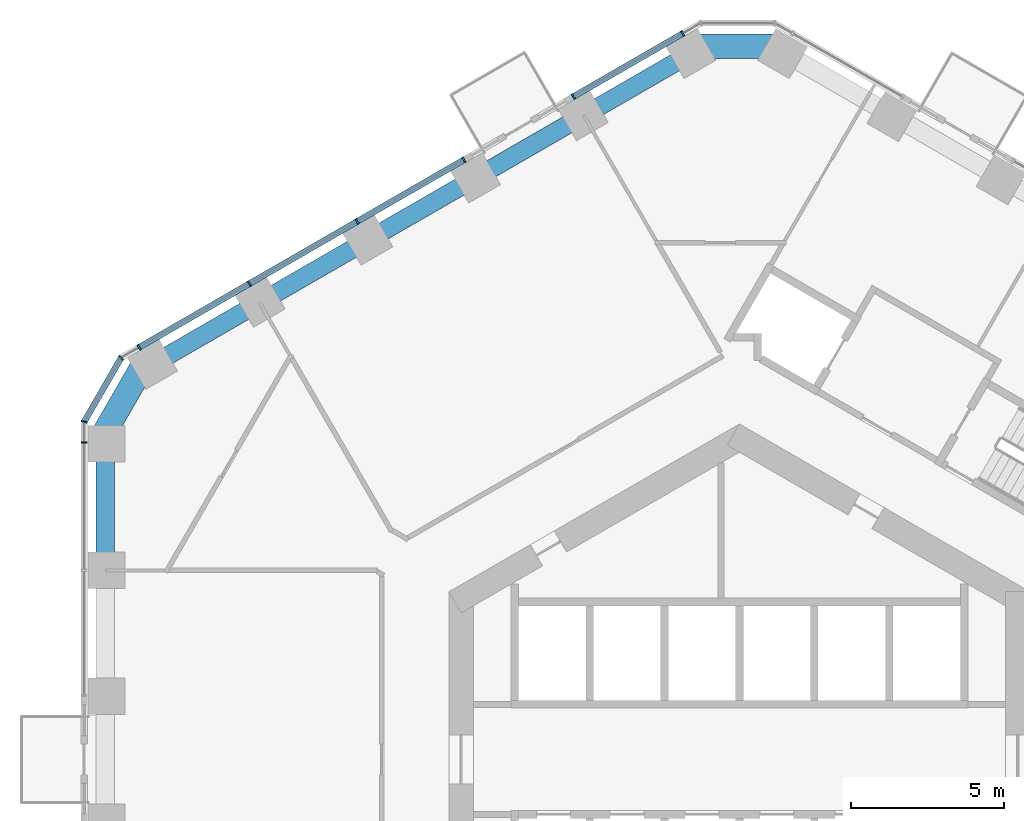
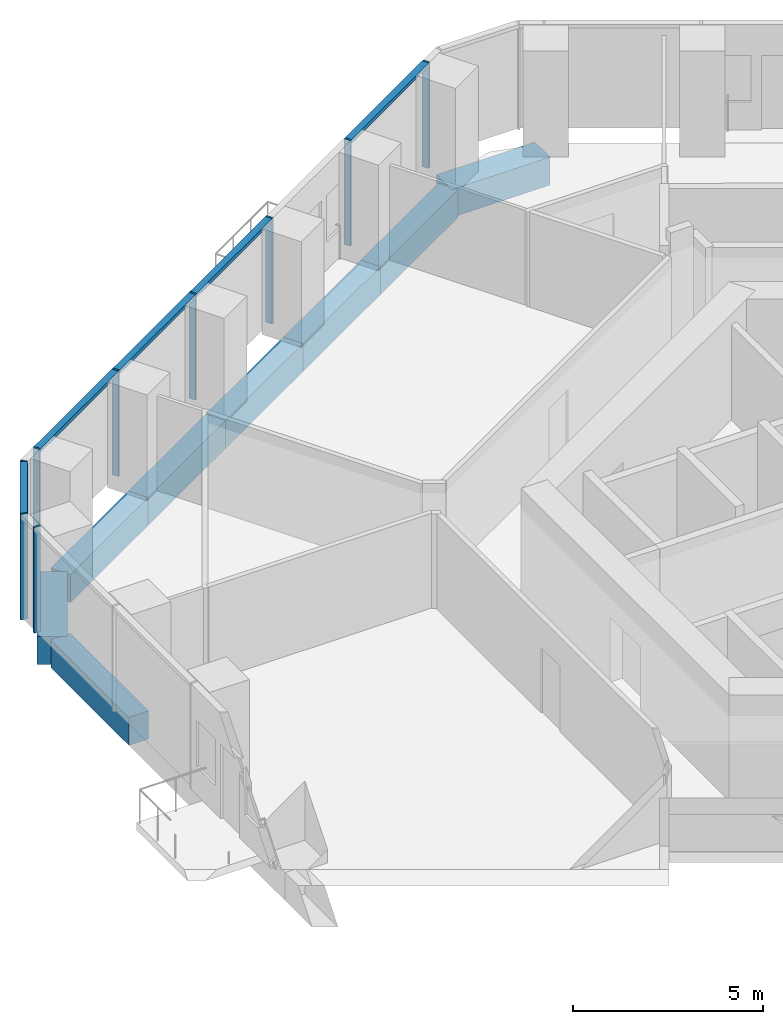
# One storey, part 6 of 20: 12 members, 8 beams, 4 elements without a shape of their own.
"""IFC4 building model written with IfcOpenShell, lengths in metres."""

from ifc_helpers import new_model, si_unit, direction, frame, origin, origin_2d, place, context, subcontext, project, spatial, rectangle, extrude, material, layer, layer_set, material_profile, profile_set, type_object, element, aggregate, save


model = new_model("IFC4")

# Units and contexts
model_context = context("Model", 3, precision=1e-05, world=origin(), true_north=direction((0.0, 1.0)))
body_context = subcontext(model_context, "Body", "Model", "MODEL_VIEW")
ifc_project = project(units=[si_unit("LENGTHUNIT", "METRE"), si_unit("AREAUNIT", "SQUARE_METRE"), si_unit("VOLUMEUNIT", "CUBIC_METRE"), si_unit("PLANEANGLEUNIT", "RADIAN"), si_unit("MASSUNIT", "GRAM", prefix="KILO")], contexts=[model_context])

# Site, building, storey
site_placement = place(None, origin())
site = spatial("IfcSite", under=ifc_project, at=site_placement, CompositionType="ELEMENT")
building_placement = place(site_placement, origin())
building = spatial("IfcBuilding", under=site, at=building_placement, Name="Ayvan Gate Tower", CompositionType="ELEMENT")
storey_placement = place(building_placement, frame((0.0, 0.0, 28.89990234375)))
storey = spatial("IfcBuildingStorey", under=building, at=storey_placement, Name="L06", CompositionType="ELEMENT", Elevation=28.89990234375)

# Beams
ifc_material_1 = material(Name="Concrete C40/50", Category="concrete")
ifc_material_profile_1 = material_profile(ifc_material_1, rectangle(XDim=0.800048828125, YDim=0.89990234375, at=origin_2d()), Name="RC 800x900")
ifc_profile_set_1 = profile_set([ifc_material_profile_1], Name="Concrete C40/50")
beam_type_1 = type_object("IfcBeamType", Name="Corner spandrel beam RC 800x900 C40/50", PredefinedType="BEAM", material=ifc_profile_set_1)
for number, where, z_axis, x_axis, name in (
    (1, (1.45458984375, 23.327880859375, -0.7998046875), (-1.0, 0.0, 0.0), (0.0, -1.0, 0.0), "SB-L06-12"),
    (2, (-19.4296875, 13.002197265625, -0.7998046875), (-0.499990139034, -0.866031096941, 0.0), (0.866031096941, -0.499990139034, 0.0), "SB-L06-18"),
):
    element("IfcBeam", number, at=place(storey_placement, frame(where, z_axis=z_axis, x_axis=x_axis)), inside=storey, type_object=beam_type_1, Name=name, PredefinedType="BEAM", context=body_context, shape_type="SweptSolid", body=[
        extrude(rectangle(XDim=0.800048828125, YDim=0.89990234375, at=origin_2d()), origin(), (0.0, 0.0, 1.0), 3.0),
    ])
ifc_material_profile_2 = material_profile(ifc_material_1, rectangle(XDim=0.60009765625, YDim=0.89990234375, at=origin_2d()), Name="RC 600x900")
ifc_profile_set_2 = profile_set([ifc_material_profile_2], Name="Concrete C40/50")
beam_type_2 = type_object("IfcBeamType", Name="Spandrel beam RC 600x900 C40/50", PredefinedType="BEAM", material=ifc_profile_set_2)
for number, where, z_axis, x_axis, name in (
    (3, (-1.54541015625, 23.107666015625, -0.7998046875), (-0.866043310254, -0.499968983802, 0.0), (0.499968983802, -0.866043310254, 0.0), "SB-L06-13"),
    (4, (-5.084228515625, 21.064697265625, -0.7998046875), (-0.866002500944, -0.500039666786, 0.0), (0.500039666786, -0.866002500944, 0.0), "SB-L06-14"),
    (5, (-8.622802734375, 19.021484375, -0.7998046875), (-0.866043310254, -0.499968983802, 0.0), (0.499968983802, -0.866043310254, 0.0), "SB-L06-15"),
):
    element("IfcBeam", number, at=place(storey_placement, frame(where, z_axis=z_axis, x_axis=x_axis)), inside=storey, type_object=beam_type_2, Name=name, PredefinedType="BEAM", context=body_context, shape_type="SweptSolid", body=[
        extrude(rectangle(XDim=0.60009765625, YDim=0.89990234375, at=origin_2d()), origin(), (0.0, 0.0, 1.0), 4.086181640625),
    ])
beam_1_placement = place(storey_placement, frame((-12.16162109375, 16.978515625, -0.7998046875), z_axis=(-0.866017439413, -0.500013794443, 0.0), x_axis=(0.500013794443, -0.866017439413, 0.0)))
element("IfcBeam", 6, at=beam_1_placement, inside=storey, type_object=beam_type_2, Name="SB-L06-16", PredefinedType="BEAM", context=body_context, shape_type="SweptSolid", body=[
    extrude(rectangle(XDim=0.60009765625, YDim=0.89990234375, at=origin_2d()), origin(), (0.0, 0.0, 1.0), 4.08642578125),
])
beam_2_placement = place(storey_placement, frame((-15.700439453125, 14.935302734375, -0.7998046875), z_axis=(-0.866043310254, -0.499968983802, 0.0), x_axis=(0.499968983802, -0.866043310254, 0.0)))
element("IfcBeam", 7, at=beam_2_placement, inside=storey, type_object=beam_type_2, Name="SB-L06-17", PredefinedType="BEAM", context=body_context, shape_type="SweptSolid", body=[
    extrude(rectangle(XDim=0.60009765625, YDim=0.89990234375, at=origin_2d()), origin(), (0.0, 0.0, 1.0), 4.086181640625),
])
beam_3_placement = place(storey_placement, frame((-20.7392578125, 10.294189453125, -0.7998046875), z_axis=(0.0, -1.0, 0.0), x_axis=(1.0, 0.0, 0.0)))
element("IfcBeam", 8, at=beam_3_placement, inside=storey, type_object=beam_type_2, Name="SB-L06-19", PredefinedType="BEAM", context=body_context, shape_type="SweptSolid", body=[
    extrude(rectangle(XDim=0.60009765625, YDim=0.89990234375, at=origin_2d()), origin(), (0.0, 0.0, 1.0), 4.11767578125),
])

# Curtain wall, members
ifc_material_2 = material(Name="Bronze anodised aluminium", Category="aluminium")
ifc_layer_1 = layer(ifc_material_2, 0.199951171875)
ifc_layer_set_1 = layer_set([ifc_layer_1], Name="Bronze anodised aluminium")
curtain_wall_type_1 = type_object("IfcCurtainWallType", Name="Stick curtain wall CW-1", PredefinedType="NOTDEFINED", material=ifc_layer_set_1)
curtain_wall_1_placement = place(storey_placement, origin())
curtain_wall_1 = element("IfcCurtainWall", 9, at=curtain_wall_1_placement, inside=storey, type_object=curtain_wall_type_1, Name="Stick curtain wall CW-1 L06", PredefinedType="NOTDEFINED")
ifc_material_profile_3 = material_profile(ifc_material_2, rectangle(XDim=0.199951171875, YDim=0.06005859375, at=origin_2d()), Name="Stick curtain wall CW-1 mullion 200 x 60")
ifc_profile_set_3 = profile_set([ifc_material_profile_3], Name="Bronze anodised aluminium")
member_type_1 = type_object("IfcMemberType", Name="Stick curtain wall CW-1 mullion 200 x 60", PredefinedType="MULLION", material=ifc_profile_set_3)
member_1_placement = place(storey_placement, frame((-1.85546875, 23.737060546875, 0.0), z_axis=(0.0, 0.0, 1.0), x_axis=(-0.5, 0.866025403784, 0.0)))
member_1 = element("IfcMember", 10, at=member_1_placement, type_object=member_type_1, Name="CW-1 mullion 1", PredefinedType="MULLION", context=body_context, shape_type="SweptSolid", body=[
    extrude(rectangle(XDim=0.199951171875, YDim=0.06005859375, at=origin_2d()), origin(), (0.0, 0.0, 1.0), 3.400146484375),
])
member_2_placement = place(storey_placement, frame((-5.433837890625, 21.6708984375, 0.0), z_axis=(0.0, 0.0, 1.0), x_axis=(-0.5, 0.866025403784, 0.0)))
member_2 = element("IfcMember", 11, at=member_2_placement, type_object=member_type_1, Name="CW-1 mullion 2", PredefinedType="MULLION", context=body_context, shape_type="SweptSolid", body=[
    extrude(rectangle(XDim=0.199951171875, YDim=0.06005859375, at=origin_2d()), origin(), (0.0, 0.0, 1.0), 3.400146484375),
])

curtain_wall_2_placement = place(storey_placement, origin())
curtain_wall_2 = element("IfcCurtainWall", 12, at=curtain_wall_2_placement, inside=storey, type_object=curtain_wall_type_1, Name="Stick curtain wall CW-1 L06", PredefinedType="NOTDEFINED")
member_3_placement = place(storey_placement, frame((-9.008056640625, 19.607421875, 0.0), z_axis=(0.0, 0.0, 1.0), x_axis=(-0.5, 0.866025403784, 0.0)))
member_3 = element("IfcMember", 13, at=member_3_placement, type_object=member_type_1, Name="CW-1 mullion 1", PredefinedType="MULLION", context=body_context, shape_type="SweptSolid", body=[
    extrude(rectangle(XDim=0.199951171875, YDim=0.06005859375, at=origin_2d()), origin(), (0.0, 0.0, 1.0), 3.400146484375),
])
member_4_placement = place(storey_placement, frame((-12.50341796875, 17.589599609375, 0.0), z_axis=(0.0, 0.0, 1.0), x_axis=(-0.5, 0.866025403784, 0.0)))
member_4 = element("IfcMember", 14, at=member_4_placement, type_object=member_type_1, Name="CW-1 mullion 2", PredefinedType="MULLION", context=body_context, shape_type="SweptSolid", body=[
    extrude(rectangle(XDim=0.199951171875, YDim=0.06005859375, at=origin_2d()), origin(), (0.0, 0.0, 1.0), 3.400146484375),
])
member_5_placement = place(storey_placement, frame((-16.024658203125, 15.556396484375, 0.0), z_axis=(0.0, 0.0, 1.0), x_axis=(-0.5, 0.866025403784, 0.0)))
member_5 = element("IfcMember", 15, at=member_5_placement, type_object=member_type_1, Name="CW-1 mullion 3", PredefinedType="MULLION", context=body_context, shape_type="SweptSolid", body=[
    extrude(rectangle(XDim=0.199951171875, YDim=0.06005859375, at=origin_2d()), origin(), (0.0, 0.0, 1.0), 3.400146484375),
])
member_6_placement = place(storey_placement, frame((-19.629150390625, 13.475341796875, 0.0), z_axis=(0.0, 0.0, 1.0), x_axis=(-0.5, 0.866025403784, 0.0)))
member_6 = element("IfcMember", 16, at=member_6_placement, type_object=member_type_1, Name="CW-1 mullion 4", PredefinedType="MULLION", context=body_context, shape_type="SweptSolid", body=[
    extrude(rectangle(XDim=0.199951171875, YDim=0.06005859375, at=origin_2d()), origin(), (0.0, 0.0, 1.0), 3.400146484375),
])

# Curtain wall, member
curtain_wall_3_placement = place(storey_placement, origin())
curtain_wall_3 = element("IfcCurtainWall", 17, at=curtain_wall_3_placement, inside=storey, type_object=curtain_wall_type_1, Name="Stick curtain wall CW-1 L06", PredefinedType="NOTDEFINED")
member_7_placement = place(storey_placement, frame((-21.42529296875, 10.3642578125, 0.0), z_axis=(0.0, 0.0, 1.0), x_axis=(-1.0, 0.0, 0.0)))
member_7 = element("IfcMember", 18, at=member_7_placement, type_object=member_type_1, Name="CW-1 mullion 1", PredefinedType="MULLION", context=body_context, shape_type="SweptSolid", body=[
    extrude(rectangle(XDim=0.199951171875, YDim=0.06005859375, at=origin_2d()), origin(), (0.0, 0.0, 1.0), 3.400146484375),
])
aggregate(curtain_wall_3, [member_7])

# Member
ifc_material_profile_4 = material_profile(ifc_material_2, rectangle(XDim=0.199951171875, YDim=0.1201171875, at=origin_2d()), Name="Stick curtain wall CW-1 transom 200 x 120")
ifc_profile_set_4 = profile_set([ifc_material_profile_4], Name="Bronze anodised aluminium")
member_type_2 = type_object("IfcMemberType", Name="Stick curtain wall CW-1 transom 200 x 120", PredefinedType="USERDEFINED", material=ifc_profile_set_4)
member_8_placement = place(storey_placement, frame((-1.85546875, 23.737060546875, 3.340087890625), z_axis=(-0.866005521303, -0.500034435887, 0.0), x_axis=(0.500034435887, -0.866005521303, 0.0)))
member_8 = element("IfcMember", 19, at=member_8_placement, type_object=member_type_2, Name="CW-1 transom 1", ObjectType="TRANSOM", PredefinedType="USERDEFINED", context=body_context, shape_type="SweptSolid", body=[
    extrude(rectangle(XDim=0.199951171875, YDim=0.1201171875, at=origin_2d()), origin(), (0.0, 0.0, 1.0), 4.132080078125),
])

aggregate(curtain_wall_1, [member_1, member_2, member_8])

member_9_placement = place(storey_placement, frame((-9.008056640625, 19.607421875, 3.340087890625), z_axis=(-0.866025801255, -0.49999931156, 0.0), x_axis=(0.49999931156, -0.866025801255, 0.0)))
member_9 = element("IfcMember", 20, at=member_9_placement, type_object=member_type_2, Name="CW-1 transom 1", ObjectType="TRANSOM", PredefinedType="USERDEFINED", context=body_context, shape_type="SweptSolid", body=[
    extrude(rectangle(XDim=0.199951171875, YDim=0.1201171875, at=origin_2d()), origin(), (0.0, 0.0, 1.0), 12.26416015625),
])

aggregate(curtain_wall_2, [member_3, member_4, member_5, member_6, member_9])

# Curtain wall, members
ifc_layer_2 = layer(ifc_material_2, 0.199951171875)
ifc_layer_set_2 = layer_set([ifc_layer_2], Name="Bronze anodised aluminium")
curtain_wall_type_2 = type_object("IfcCurtainWallType", Name="Stick curtain wall CW-6", PredefinedType="NOTDEFINED", material=ifc_layer_set_2)
curtain_wall_4_placement = place(storey_placement, origin())
curtain_wall_4 = element("IfcCurtainWall", 21, at=curtain_wall_4_placement, inside=storey, type_object=curtain_wall_type_2, Name="Stick curtain wall CW-6 L06", PredefinedType="NOTDEFINED")
ifc_material_profile_5 = material_profile(ifc_material_2, rectangle(XDim=0.199951171875, YDim=0.050048828125, at=origin_2d()), Name="Stick curtain wall CW-6 mullion 200 x 50")
ifc_profile_set_5 = profile_set([ifc_material_profile_5], Name="Bronze anodised aluminium")
member_type_3 = type_object("IfcMemberType", Name="Stick curtain wall CW-6 mullion 200 x 50", PredefinedType="MULLION", material=ifc_profile_set_5)
member_10_placement = place(storey_placement, frame((-20.218017578125, 13.135498046875, 0.0), z_axis=(0.0, 0.0, 1.0), x_axis=(-0.707106781187, 0.707106781187, 0.0)))
member_10 = element("IfcMember", 22, at=member_10_placement, type_object=member_type_3, Name="CW-6 mullion 2", PredefinedType="MULLION", context=body_context, shape_type="SweptSolid", body=[
    extrude(rectangle(XDim=0.199951171875, YDim=0.050048828125, at=origin_2d()), origin(), (0.0, 0.0, 1.0), 3.400146484375),
])
member_11_placement = place(storey_placement, frame((-21.42529296875, 11.04443359375, 0.0), z_axis=(0.0, 0.0, 1.0), x_axis=(-0.965925826289, 0.258819045103, 0.0)))
member_11 = element("IfcMember", 23, at=member_11_placement, type_object=member_type_3, Name="CW-6 mullion 3", PredefinedType="MULLION", context=body_context, shape_type="SweptSolid", body=[
    extrude(rectangle(XDim=0.199951171875, YDim=0.050048828125, at=origin_2d()), origin(), (0.0, 0.0, 1.0), 3.400146484375),
])
ifc_material_profile_6 = material_profile(ifc_material_2, rectangle(XDim=0.199951171875, YDim=0.1201171875, at=origin_2d()), Name="Stick curtain wall CW-6 transom 200 x 120")
ifc_profile_set_6 = profile_set([ifc_material_profile_6], Name="Bronze anodised aluminium")
member_type_4 = type_object("IfcMemberType", Name="Stick curtain wall CW-6 transom 200 x 120", PredefinedType="USERDEFINED", material=ifc_profile_set_6)
member_12_placement = place(storey_placement, frame((-20.23046875, 13.11376953125, 3.340087890625), z_axis=(-0.500014398087, -0.866017090885, 0.0), x_axis=(0.866017090885, -0.500014398087, 0.0)))
member_12 = element("IfcMember", 24, at=member_12_placement, type_object=member_type_4, Name="CW-6 transom 2", ObjectType="TRANSOM", PredefinedType="USERDEFINED", context=body_context, shape_type="SweptSolid", body=[
    extrude(rectangle(XDim=0.199951171875, YDim=0.1201171875, at=origin_2d()), origin(), (0.0, 0.0, 1.0), 2.36474609375),
])
aggregate(curtain_wall_4, [member_10, member_11, member_12])

save(model, "model.ifc")
